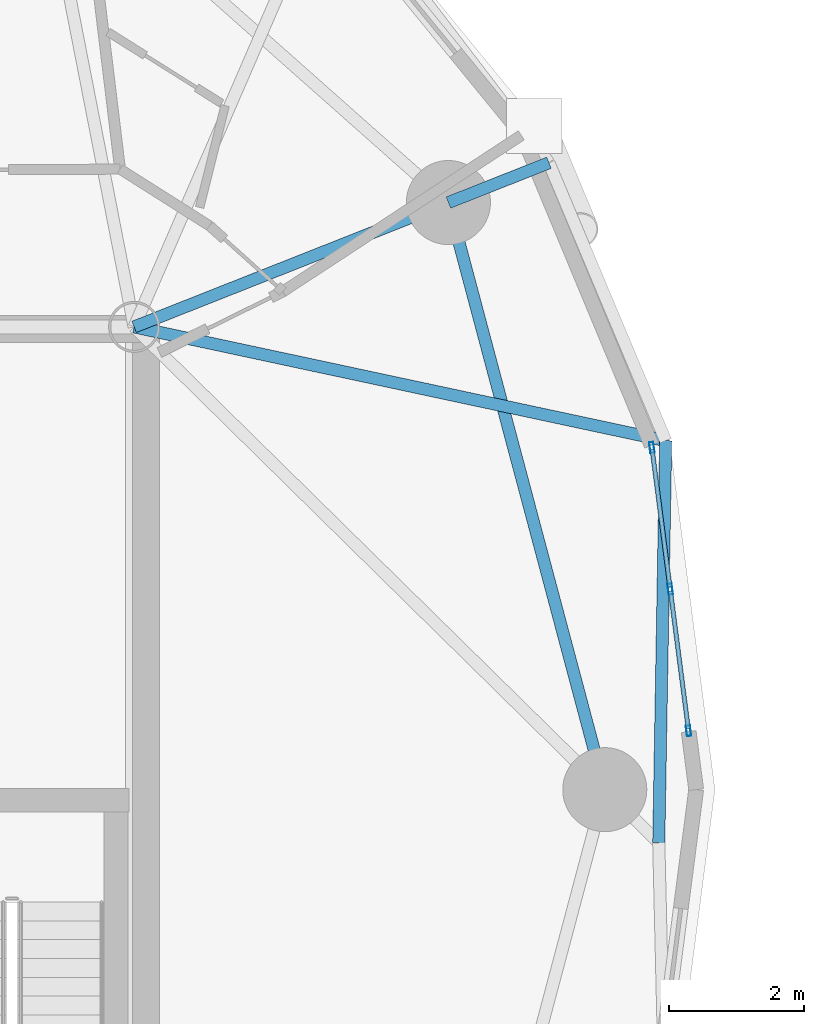
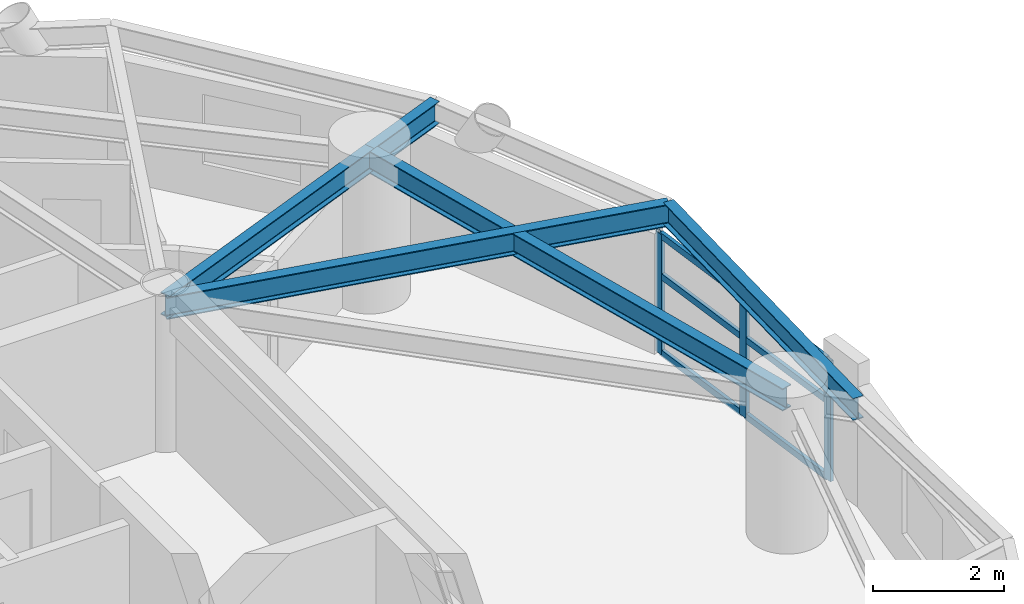
# One storey, part 3 of 19: 9 members, 5 beams, 1 element without a shape of its own.
"""IFC4 building model written with IfcOpenShell, lengths in metres."""

from ifc_helpers import new_model, si_unit, direction, frame, origin, origin_2d, place, context, subcontext, project, spatial, hollow_rectangle, i_section, extrude, material, layer, layer_set, material_profile, profile_set, type_object, element, aggregate, save


model = new_model("IFC4")

# Units and contexts
model_context = context("Model", 3, precision=1e-05, world=origin(), true_north=direction((0.0, 1.0)))
body_context = subcontext(model_context, "Body", "Model", "MODEL_VIEW")
ifc_project = project(units=[si_unit("LENGTHUNIT", "METRE"), si_unit("AREAUNIT", "SQUARE_METRE"), si_unit("VOLUMEUNIT", "CUBIC_METRE"), si_unit("PLANEANGLEUNIT", "RADIAN"), si_unit("MASSUNIT", "GRAM", prefix="KILO")], contexts=[model_context])

# Site, building, storey
site_placement = place(None, origin())
site = spatial("IfcSite", under=ifc_project, at=site_placement, CompositionType="ELEMENT")
building_placement = place(site_placement, origin())
building = spatial("IfcBuilding", under=site, at=building_placement, Name="Cununo Teusaquillo Station Towers", CompositionType="ELEMENT")
storey_placement = place(building_placement, frame((0.0, 0.0, 177.7900390625)))
storey = spatial("IfcBuildingStorey", under=building, at=storey_placement, Name="L56", CompositionType="ELEMENT", Elevation=177.7900390625)

# Beams
ifc_material_1 = material(Name="Steel ASTM A572 Grade 50", Category="steel")
ifc_material_profile_1 = material_profile(ifc_material_1, i_section(OverallWidth=0.180908203125, OverallDepth=0.4169921875, WebThickness=0.010986328125, FlangeThickness=0.018310546875, FilletRadius=0.012939453125, at=origin_2d()), Name="W16X57")
ifc_profile_set_1 = profile_set([ifc_material_profile_1], Name="Steel ASTM A572 Grade 50")
beam_type_1 = type_object("IfcBeamType", Name="BM-JOIST-1", PredefinedType="JOIST", material=ifc_profile_set_1)
beam_1_placement = place(storey_placement, frame((21.675048828125, 31.3798828125, 2.4814453125), z_axis=(0.977854548984, -0.209285644589, 0.0), x_axis=(0.209285644589, 0.977854548984, 0.0)))
element("IfcBeam", 1, at=beam_1_placement, inside=storey, type_object=beam_type_1, Name="L56 Tower A Radial Spandrel Joist V01", PredefinedType="JOIST", context=body_context, shape_type="SweptSolid", body=[
    extrude(i_section(OverallWidth=0.180908203125, OverallDepth=0.4169921875, WebThickness=0.010986328125, FlangeThickness=0.018310546875, FilletRadius=0.012939453125, at=origin_2d()), origin(), (0.0, 0.0, 1.0), 8.081787109375),
])
ifc_material_2 = material(Name="Steel ASTM A572 Grade 50", Category="steel")
ifc_material_profile_2 = material_profile(ifc_material_2, i_section(OverallWidth=0.180908203125, OverallDepth=0.4169921875, WebThickness=0.010986328125, FlangeThickness=0.018310546875, FilletRadius=0.012939453125, at=origin_2d()), Name="W16X57")
ifc_profile_set_2 = profile_set([ifc_material_profile_2], Name="Steel ASTM A572 Grade 50")
beam_type_2 = type_object("IfcBeamType", Name="BM-RAD-G2", PredefinedType="BEAM", material=ifc_profile_set_2)
beam_2_placement = place(storey_placement, frame((21.675048828125, 31.3798828125, 2.4814453125), z_axis=(0.929864104313, 0.367903176814, 0.0), x_axis=(-0.367903176814, 0.929864104313, 0.0)))
element("IfcBeam", 2, at=beam_2_placement, inside=storey, type_object=beam_type_2, Name="L56 Tower A Radial Girder 02A", PredefinedType="BEAM", context=body_context, shape_type="SweptSolid", body=[
    extrude(i_section(OverallWidth=0.180908203125, OverallDepth=0.4169921875, WebThickness=0.010986328125, FlangeThickness=0.018310546875, FilletRadius=0.012939453125, at=origin_2d()), origin(), (0.0, 0.0, 1.0), 5.02490234375),
])
beam_3_placement = place(storey_placement, frame((26.347412109375, 33.228515625, 2.4814453125), z_axis=(0.929873737198, 0.367878829058, 0.0), x_axis=(-0.367878829058, 0.929873737198, 0.0)))
element("IfcBeam", 3, at=beam_3_placement, inside=storey, type_object=beam_type_2, Name="L56 Tower A Perimeter Overhang Girder 02B", PredefinedType="BEAM", context=body_context, shape_type="SweptSolid", body=[
    extrude(i_section(OverallWidth=0.180908203125, OverallDepth=0.4169921875, WebThickness=0.010986328125, FlangeThickness=0.018310546875, FilletRadius=0.012939453125, at=origin_2d()), origin(), (0.0, 0.0, 1.0), 1.607421875),
])
ifc_material_3 = material(Name="Steel ASTM A572 Grade 50", Category="steel")
ifc_material_profile_3 = material_profile(ifc_material_3, i_section(OverallWidth=0.180908203125, OverallDepth=0.4169921875, WebThickness=0.010986328125, FlangeThickness=0.018310546875, FilletRadius=0.012939453125, at=origin_2d()), Name="W16X57")
ifc_profile_set_3 = profile_set([ifc_material_profile_3], Name="Steel ASTM A572 Grade 50")
beam_type_3 = type_object("IfcBeamType", Name="BM-RING-Z3", PredefinedType="SPANDREL", material=ifc_profile_set_3)
beam_4_placement = place(storey_placement, frame((28.672119140625, 24.5, 2.4814453125), z_axis=(-0.257363196347, 0.966314744359, 0.0), x_axis=(-0.966314744359, -0.257363196347, 0.0)))
element("IfcBeam", 4, at=beam_4_placement, inside=storey, type_object=beam_type_3, Name="L56 Tower A Structural Column Ring Girder 01", PredefinedType="SPANDREL", context=body_context, shape_type="SweptSolid", body=[
    extrude(i_section(OverallWidth=0.180908203125, OverallDepth=0.4169921875, WebThickness=0.010986328125, FlangeThickness=0.018310546875, FilletRadius=0.012939453125, at=origin_2d()), origin(), (0.0, 0.0, 1.0), 9.03271484375),
])
beam_5_placement = place(storey_placement, frame((29.474853515625, 23.710693359375, 2.4814453125), z_axis=(0.017232482627, 0.999851509747, 0.0), x_axis=(-0.999851509747, 0.017232482627, 0.0)))
element("IfcBeam", 5, at=beam_5_placement, inside=storey, type_object=beam_type_3, Name="L56 Tower A Spandrel Ring Beam 01", PredefinedType="SPANDREL", context=body_context, shape_type="SweptSolid", body=[
    extrude(i_section(OverallWidth=0.180908203125, OverallDepth=0.4169921875, WebThickness=0.010986328125, FlangeThickness=0.018310546875, FilletRadius=0.012939453125, at=origin_2d()), origin(), (0.0, 0.0, 1.0), 5.978759765625),
])

# Curtain wall, members
ifc_material_4 = material(Name="Operable acoustic tinted low-E double glazing", Category="glass")
ifc_layer = layer(ifc_material_4, 0.179931640625)
ifc_layer_set = layer_set([ifc_layer], Name="Operable acoustic tinted low-E double glazing")
curtain_wall_type = type_object("IfcCurtainWallType", Name="CW-SYS-06", PredefinedType="USERDEFINED", material=ifc_layer_set)
curtain_wall_placement = place(storey_placement, origin())
curtain_wall = element("IfcCurtainWall", 6, at=curtain_wall_placement, inside=storey, type_object=curtain_wall_type, Name="L56 Tower A Facade Curtain Wall C00", ObjectType="OPERABLE GLAZING", PredefinedType="USERDEFINED")
ifc_material_5 = material(Name="Anodised dark bronze aluminium EN AW-6063-T6", Category="aluminium")
ifc_material_profile_4 = material_profile(ifc_material_5, hollow_rectangle(XDim=0.06494140625, YDim=0.159912109375, WallThickness=0.00390625, at=origin_2d()), Name="CW-MULL-65x160")
ifc_profile_set_4 = profile_set([ifc_material_profile_4], Name="Anodised dark bronze aluminium EN AW-6063-T6")
member_type_1 = type_object("IfcMemberType", Name="CWM-160", PredefinedType="MULLION", material=ifc_profile_set_4)
member_1_placement = place(storey_placement, frame((29.372802734375, 29.588134765625, 0.0), z_axis=(0.0, 0.0, 1.0), x_axis=(0.991737283761, 0.128285462927, 0.0)))
member_1 = element("IfcMember", 7, at=member_1_placement, type_object=member_type_1, Name="CW-06 mullion 1", PredefinedType="MULLION", context=body_context, shape_type="SweptSolid", body=[
    extrude(hollow_rectangle(XDim=0.06494140625, YDim=0.159912109375, WallThickness=0.00390625, at=origin_2d()), origin(), (0.0, 0.0, 1.0), 2.244873046875),
])
member_2_placement = place(storey_placement, frame((29.645263671875, 27.481689453125, 0.0), z_axis=(0.0, 0.0, 1.0), x_axis=(0.991737283761, 0.128285462927, 0.0)))
member_2 = element("IfcMember", 8, at=member_2_placement, type_object=member_type_1, Name="CW-06 mullion 2", PredefinedType="MULLION", context=body_context, shape_type="SweptSolid", body=[
    extrude(hollow_rectangle(XDim=0.06494140625, YDim=0.159912109375, WallThickness=0.00390625, at=origin_2d()), origin(), (0.0, 0.0, 1.0), 2.244873046875),
])
member_3_placement = place(storey_placement, frame((29.917724609375, 25.375244140625, 0.0), z_axis=(0.0, 0.0, 1.0), x_axis=(0.991737283761, 0.128285462927, 0.0)))
member_3 = element("IfcMember", 9, at=member_3_placement, type_object=member_type_1, Name="CW-06 mullion 3", PredefinedType="MULLION", context=body_context, shape_type="SweptSolid", body=[
    extrude(hollow_rectangle(XDim=0.06494140625, YDim=0.159912109375, WallThickness=0.00390625, at=origin_2d()), origin(), (0.0, 0.0, 1.0), 2.244873046875),
])
ifc_material_6 = material(Name="Anodised dark bronze aluminium EN AW-6063-T6", Category="aluminium")
ifc_material_profile_5 = material_profile(ifc_material_6, hollow_rectangle(XDim=0.06494140625, YDim=0.1201171875, WallThickness=0.00390625, at=origin_2d()), Name="CW-TRAN-65x120")
ifc_profile_set_5 = profile_set([ifc_material_profile_5], Name="Anodised dark bronze aluminium EN AW-6063-T6")
member_type_2 = type_object("IfcMemberType", Name="CWT-120", PredefinedType="USERDEFINED", material=ifc_profile_set_5)
member_4_placement = place(storey_placement, frame((29.376953125, 29.555908203125, 0.032470703125), z_axis=(0.128294885484, -0.991736064867, 0.0), x_axis=(0.991736064867, 0.128294885484, 0.0)))
member_4 = element("IfcMember", 10, at=member_4_placement, type_object=member_type_2, Name="CW-06 transom 1.1", ObjectType="TRANSOM", PredefinedType="USERDEFINED", context=body_context, shape_type="SweptSolid", body=[
    extrude(hollow_rectangle(XDim=0.06494140625, YDim=0.1201171875, WallThickness=0.00390625, at=origin_2d()), origin(), (0.0, 0.0, 1.0), 2.05908203125),
])
member_5_placement = place(storey_placement, frame((29.376953125, 29.555908203125, 1.458984375), z_axis=(0.128294885484, -0.991736064867, 0.0), x_axis=(0.991736064867, 0.128294885484, 0.0)))
member_5 = element("IfcMember", 11, at=member_5_placement, type_object=member_type_2, Name="CW-06 transom 1.2", ObjectType="TRANSOM", PredefinedType="USERDEFINED", context=body_context, shape_type="SweptSolid", body=[
    extrude(hollow_rectangle(XDim=0.06494140625, YDim=0.1201171875, WallThickness=0.00390625, at=origin_2d()), origin(), (0.0, 0.0, 1.0), 2.05908203125),
])
member_6_placement = place(storey_placement, frame((29.376953125, 29.555908203125, 2.21240234375), z_axis=(0.128294885484, -0.991736064867, 0.0), x_axis=(0.991736064867, 0.128294885484, 0.0)))
member_6 = element("IfcMember", 12, at=member_6_placement, type_object=member_type_2, Name="CW-06 transom 1.3", ObjectType="TRANSOM", PredefinedType="USERDEFINED", context=body_context, shape_type="SweptSolid", body=[
    extrude(hollow_rectangle(XDim=0.06494140625, YDim=0.1201171875, WallThickness=0.00390625, at=origin_2d()), origin(), (0.0, 0.0, 1.0), 2.05908203125),
])
member_7_placement = place(storey_placement, frame((29.6494140625, 27.449462890625, 0.032470703125), z_axis=(0.128294885484, -0.991736064867, 0.0), x_axis=(0.991736064867, 0.128294885484, 0.0)))
member_7 = element("IfcMember", 13, at=member_7_placement, type_object=member_type_2, Name="CW-06 transom 2.1", ObjectType="TRANSOM", PredefinedType="USERDEFINED", context=body_context, shape_type="SweptSolid", body=[
    extrude(hollow_rectangle(XDim=0.06494140625, YDim=0.1201171875, WallThickness=0.00390625, at=origin_2d()), origin(), (0.0, 0.0, 1.0), 2.05908203125),
])
member_8_placement = place(storey_placement, frame((29.6494140625, 27.449462890625, 1.458984375), z_axis=(0.128294885484, -0.991736064867, 0.0), x_axis=(0.991736064867, 0.128294885484, 0.0)))
member_8 = element("IfcMember", 14, at=member_8_placement, type_object=member_type_2, Name="CW-06 transom 2.2", ObjectType="TRANSOM", PredefinedType="USERDEFINED", context=body_context, shape_type="SweptSolid", body=[
    extrude(hollow_rectangle(XDim=0.06494140625, YDim=0.1201171875, WallThickness=0.00390625, at=origin_2d()), origin(), (0.0, 0.0, 1.0), 2.05908203125),
])
member_9_placement = place(storey_placement, frame((29.6494140625, 27.449462890625, 2.21240234375), z_axis=(0.128294885484, -0.991736064867, 0.0), x_axis=(0.991736064867, 0.128294885484, 0.0)))
member_9 = element("IfcMember", 15, at=member_9_placement, type_object=member_type_2, Name="CW-06 transom 2.3", ObjectType="TRANSOM", PredefinedType="USERDEFINED", context=body_context, shape_type="SweptSolid", body=[
    extrude(hollow_rectangle(XDim=0.06494140625, YDim=0.1201171875, WallThickness=0.00390625, at=origin_2d()), origin(), (0.0, 0.0, 1.0), 2.05908203125),
])
aggregate(curtain_wall, [member_1, member_2, member_3, member_4, member_5, member_6, member_7, member_8, member_9])

save(model, "model.ifc")
